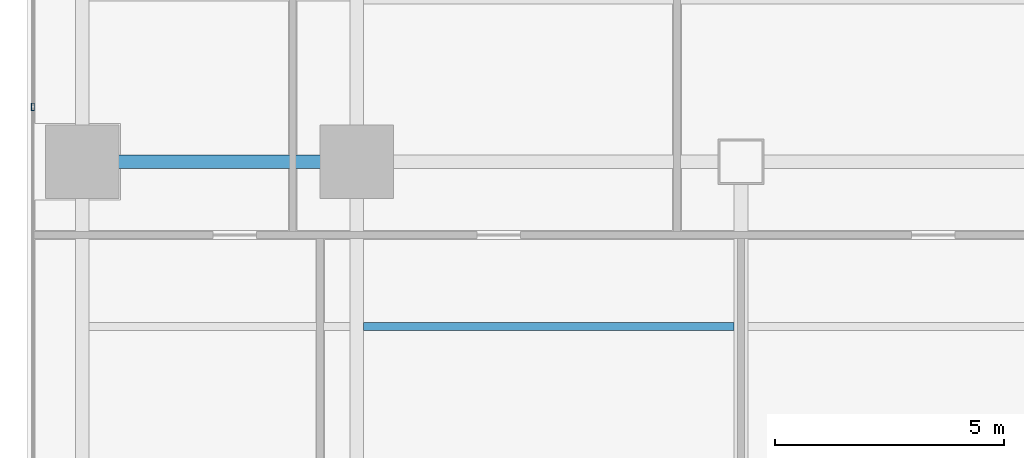
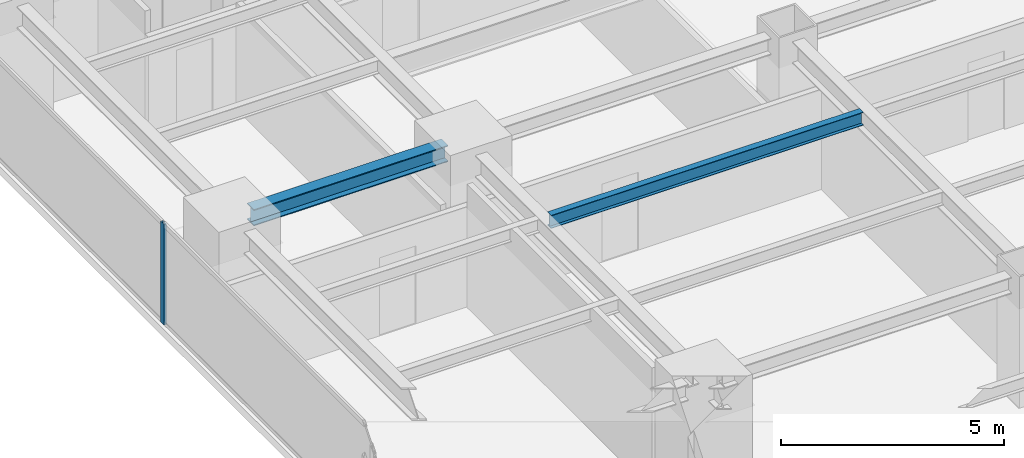
# One storey, part 7 of 28: 2 beams, 1 member, 1 element without a shape of its own.
"""IFC4 building model written with IfcOpenShell, lengths in metres."""

from ifc_helpers import new_model, si_unit, direction, frame, origin, origin_2d, place, context, subcontext, project, spatial, hollow_rectangle, i_section, extrude, source, transform, mapped, material, layer, layer_set, material_profile, profile_set, type_object, element, aggregate, save


model = new_model("IFC4")

# Units and contexts
model_context = context("Model", 3, precision=1e-05, world=origin(), true_north=direction((0.0, 1.0)))
body_context = subcontext(model_context, "Body", "Model", "MODEL_VIEW")
ifc_project = project(units=[si_unit("LENGTHUNIT", "METRE"), si_unit("AREAUNIT", "SQUARE_METRE"), si_unit("VOLUMEUNIT", "CUBIC_METRE"), si_unit("PLANEANGLEUNIT", "RADIAN"), si_unit("MASSUNIT", "GRAM", prefix="KILO")], contexts=[model_context])

# Site, building, storey
site_placement = place(None, origin())
site = spatial("IfcSite", under=ifc_project, at=site_placement, CompositionType="ELEMENT")
building_placement = place(site_placement, origin())
building = spatial("IfcBuilding", under=site, at=building_placement, Name="Sumidabori Civic Tower", CompositionType="ELEMENT")
storey_placement = place(building_placement, frame((0.0, 0.0, 146.0)))
storey = spatial("IfcBuildingStorey", under=building, at=storey_placement, Name="L37", CompositionType="ELEMENT", Elevation=146.0)

# Beams
ifc_material_1 = material(Name="Steel SN490", Category="steel")
ifc_material_profile_1 = material_profile(ifc_material_1, i_section(OverallWidth=0.169921875, OverallDepth=0.360107421875, WebThickness=0.008056640625, FlangeThickness=0.0126953125, at=origin_2d()), Name="IPE 360")
ifc_profile_set_1 = profile_set([ifc_material_profile_1], Name="Steel SN490")
beam_type_1 = type_object("IfcBeamType", Name="BM-JST-360", PredefinedType="JOIST", material=ifc_profile_set_1)
shared_shape_1 = source(origin(), body_context, "Body", "SweptSolid", [
    extrude(i_section(OverallWidth=0.169921875, OverallDepth=0.360107421875, WebThickness=0.008056640625, FlangeThickness=0.0126953125, at=origin_2d()), origin(), (0.0, 0.0, 1.0), 8.099853515625),
])
beam_1_placement = place(storey_placement, frame((-16.64990234375, -3.60009765625, 3.199951171875), z_axis=(1.0, 0.0, 0.0), x_axis=(0.0, 1.0, 0.0)))
element("IfcBeam", 1, at=beam_1_placement, inside=storey, type_object=beam_type_1, Name="South Bay Floor Joist L37 JSTS-57", PredefinedType="JOIST", context=body_context, shape_type="MappedRepresentation", body=[
    mapped(shared_shape_1, transform((0.0, 0.0, 0.0), x_axis=(1.0, 0.0, 0.0), y_axis=(0.0, 1.0, 0.0), z_axis=(0.0, 0.0, 1.0), scale=1.0)),
])
ifc_material_profile_2 = material_profile(ifc_material_1, i_section(OverallWidth=0.300048828125, OverallDepth=0.449951171875, WebThickness=0.013916015625, FlangeThickness=0.02587890625, at=origin_2d()), Name="HE 450 B")
ifc_profile_set_2 = profile_set([ifc_material_profile_2], Name="Steel SN490")
beam_type_2 = type_object("IfcBeamType", Name="BM-GIRD-450", PredefinedType="BEAM", material=ifc_profile_set_2)
shared_shape_2 = source(origin(), body_context, "Body", "SweptSolid", [
    extrude(i_section(OverallWidth=0.300048828125, OverallDepth=0.449951171875, WebThickness=0.013916015625, FlangeThickness=0.02587890625, at=origin_2d()), origin(), (0.0, 0.0, 1.0), 5.0400390625),
])
beam_2_placement = place(storey_placement, frame((-22.320068359375, 0.0, 3.155029296875), z_axis=(1.0, 0.0, 0.0), x_axis=(0.0, 1.0, 0.0)))
element("IfcBeam", 2, at=beam_2_placement, inside=storey, type_object=beam_type_2, Name="Primary Girder L37 GX-11", PredefinedType="BEAM", context=body_context, shape_type="MappedRepresentation", body=[
    mapped(shared_shape_2, transform((0.0, 0.0, 0.0), x_axis=(1.0, 0.0, 0.0), y_axis=(0.0, 1.0, 0.0), z_axis=(0.0, 0.0, 1.0), scale=1.0)),
])

# Curtain wall, member
ifc_material_2 = material(Name="Anodised Bronze Aluminium AW-6063-T6", Category="aluminium")
ifc_layer = layer(ifc_material_2, 0.179931640625, Name="Anodised Bronze Aluminium AW-6063-T6")
ifc_layer_set = layer_set([ifc_layer], Name="Anodised Bronze Aluminium AW-6063-T6")
curtain_wall_type = type_object("IfcCurtainWallType", Name="CW-SYS-3", PredefinedType="NOTDEFINED", material=ifc_layer_set)
curtain_wall_placement = place(storey_placement, origin())
curtain_wall = element("IfcCurtainWall", 3, at=curtain_wall_placement, inside=storey, type_object=curtain_wall_type, Name="Curtain Wall CW:L37:R10", PredefinedType="NOTDEFINED")
ifc_material_profile_3 = material_profile(ifc_material_2, hollow_rectangle(XDim=0.06494140625, YDim=0.159912109375, WallThickness=0.0048828125, at=origin_2d()), Name="ALU MULLION 160x65")
ifc_profile_set_3 = profile_set([ifc_material_profile_3], Name="Anodised Bronze Aluminium AW-6063-T6")
member_type = type_object("IfcMemberType", Name="CW-MUL-160", PredefinedType="MULLION", material=ifc_profile_set_3)
shared_shape_3 = source(origin(), body_context, "Body", "SweptSolid", [
    extrude(hollow_rectangle(XDim=0.06494140625, YDim=0.159912109375, WallThickness=0.0048828125, at=origin_2d()), origin(), (0.0, 0.0, 1.0), 2.760009765625),
])
member_placement = place(storey_placement, frame((-23.8798828125, 1.199951171875, 0.0), z_axis=(0.0, 0.0, 1.0), x_axis=(1.0, 0.0, 0.0)))
member = element("IfcMember", 4, at=member_placement, type_object=member_type, Name="CW-3 mullion 3", PredefinedType="MULLION", context=body_context, shape_type="MappedRepresentation", body=[
    mapped(shared_shape_3, transform((0.0, 0.0, 0.0), x_axis=(1.0, 0.0, 0.0), y_axis=(0.0, 1.0, 0.0), z_axis=(0.0, 0.0, 1.0), scale=1.0)),
])
aggregate(curtain_wall, [member])

save(model, "model.ifc")
